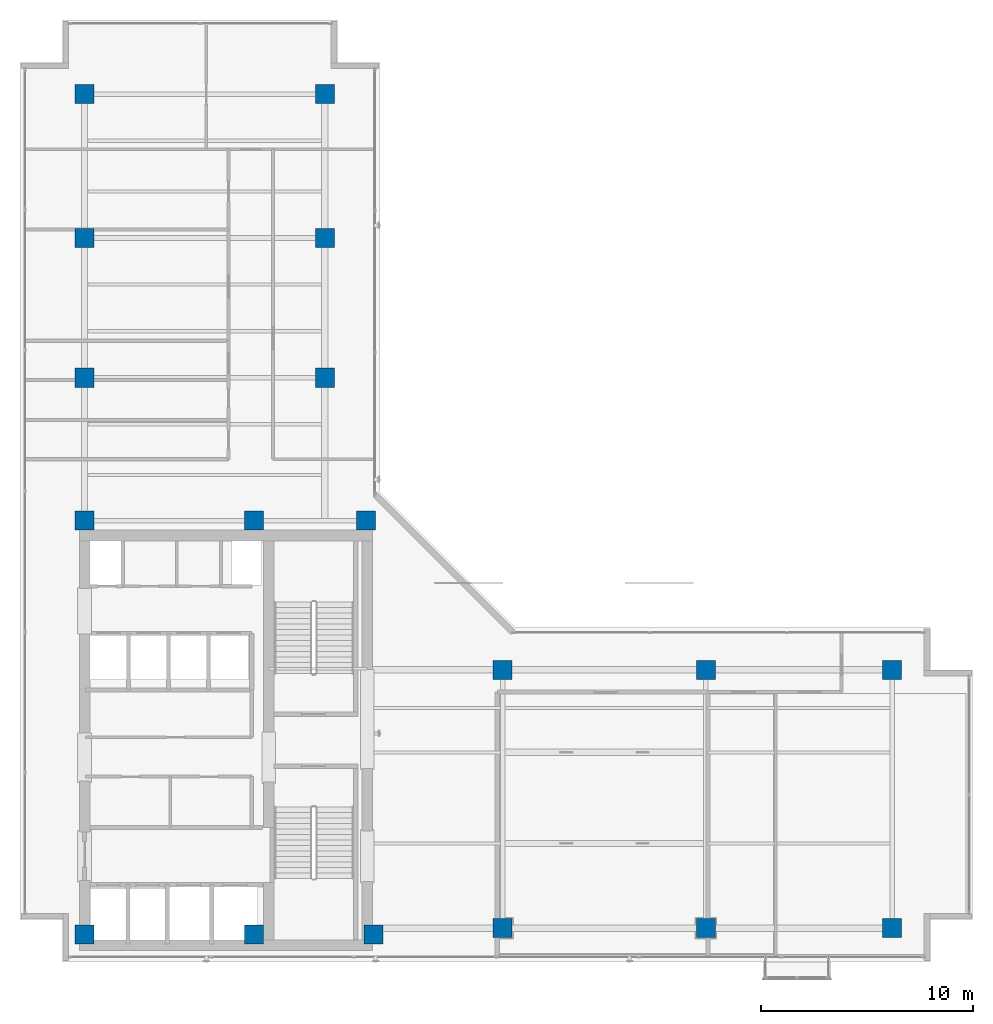
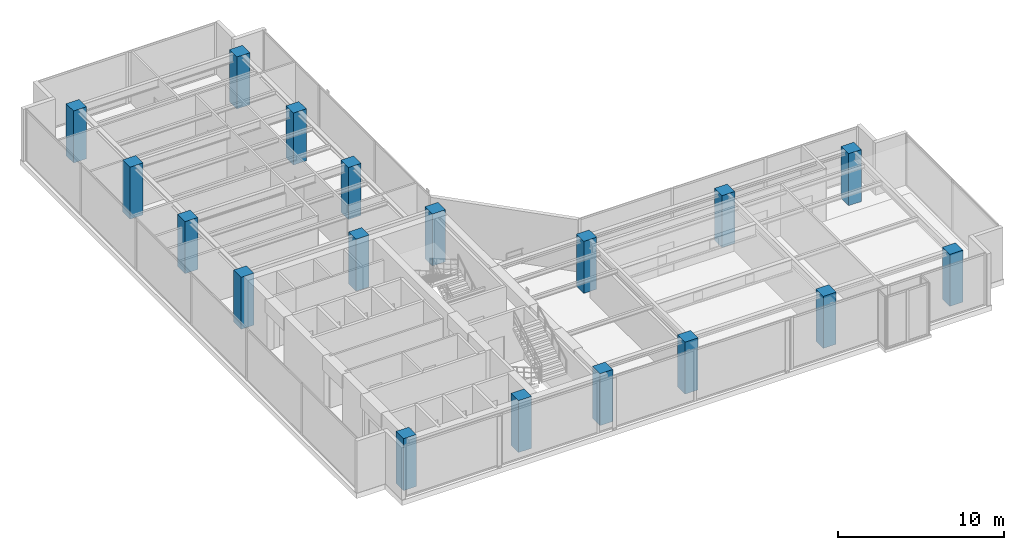
# One storey, part 1 of 32: 18 columns.
"""IFC4 building model written with IfcOpenShell, lengths in metres."""

from ifc_helpers import new_model, si_unit, direction, frame, origin, origin_2d, place, context, subcontext, project, spatial, rectangle, extrude, material, material_profile, profile_set, type_object, element, save


model = new_model("IFC4")

# Units and contexts
model_context = context("Model", 3, precision=1e-05, world=origin(), true_north=direction((0.0, 1.0)))
body_context = subcontext(model_context, "Body", "Model", "MODEL_VIEW")
ifc_project = project(units=[si_unit("LENGTHUNIT", "METRE"), si_unit("AREAUNIT", "SQUARE_METRE"), si_unit("VOLUMEUNIT", "CUBIC_METRE"), si_unit("PLANEANGLEUNIT", "RADIAN"), si_unit("MASSUNIT", "GRAM", prefix="KILO")], contexts=[model_context])

# Site, building, storey
site_placement = place(None, origin())
site = spatial("IfcSite", under=ifc_project, at=site_placement, CompositionType="ELEMENT")
building_placement = place(site_placement, origin())
building = spatial("IfcBuilding", under=site, at=building_placement, Name="Kolvaren Waterfront Exchange", CompositionType="ELEMENT")
storey_placement = place(building_placement, frame((0.0, 0.0, 352.0)))
storey = spatial("IfcBuildingStorey", under=building, at=storey_placement, Name="L90", CompositionType="ELEMENT", Elevation=352.0)

# Columns
ifc_material = material(Name="Concrete C50/60", Category="concrete")
ifc_material_profile = material_profile(ifc_material, rectangle(XDim=0.89990234375, YDim=0.89990234375, at=origin_2d()), Name="RC-COL-900x900")
ifc_profile_set = profile_set([ifc_material_profile], Name="Concrete C50/60")
column_type = type_object("IfcColumnType", Name="STR-COL-900-C50", PredefinedType="COLUMN", material=ifc_profile_set)
for number, where, z_axis, x_axis, name in (
    (1, (7.449951171875, 4.89990234375, 0.0), (0.0, 0.0, 1.0), (1.0, 0.0, 0.0), "L90 column MC01"),
    (2, (15.449951171875, 4.89990234375, 0.0), (0.0, 0.0, 1.0), (1.0, 0.0, 0.0), "L90 column MC02"),
    (3, (21.10009765625, 4.89990234375, 0.0), (0.0, 0.0, 1.0), (1.0, 0.0, 0.0), "L90 column MC03"),
    (4, (7.449951171875, 24.449951171875, 0.0), (0.0, 0.0, 1.0), (1.0, 0.0, 0.0), "L90 column MC04"),
    (5, (15.449951171875, 24.449951171875, 0.0), (0.0, 0.0, 1.0), (1.0, 0.0, 0.0), "L90 column MC05"),
    (6, (20.75, 24.449951171875, 0.0), (0.0, 0.0, 1.0), (1.0, 0.0, 0.0), "L90 column MC06"),
    (7, (7.449951171875, 31.199951171875, 0.0), (0.0, 0.0, 1.0), (1.0, 0.0, 0.0), "L90 column NC01"),
    (8, (7.449951171875, 37.800048828125, 0.0), (0.0, 0.0, 1.0), (1.0, 0.0, 0.0), "L90 column NC02"),
    (9, (7.449951171875, 44.60009765625, 0.0), (0.0, 0.0, 1.0), (1.0, 0.0, 0.0), "L90 column NC03"),
    (10, (18.800048828125, 31.199951171875, 0.0), (0.0, 0.0, 1.0), (1.0, 0.0, 0.0), "L90 column NC04"),
    (11, (18.800048828125, 37.800048828125, 0.0), (0.0, 0.0, 1.0), (1.0, 0.0, 0.0), "L90 column NC05"),
    (12, (18.800048828125, 44.60009765625, 0.0), (0.0, 0.0, 1.0), (1.0, 0.0, 0.0), "L90 column NC06"),
    (13, (27.199951171875, 5.199951171875, 0.0), (0.0, 0.0, 1.0), (1.0, 0.0, 0.0), "L90 column EC01"),
    (14, (36.800048828125, 5.199951171875, 0.0), (0.0, 0.0, 1.0), (1.0, 0.0, 0.0), "L90 column EC02"),
    (15, (45.60009765625, 5.199951171875, 0.0), (0.0, 0.0, 1.0), (1.0, 0.0, 0.0), "L90 column EC03"),
    (16, (27.199951171875, 17.39990234375, 0.0), (0.0, 0.0, 1.0), (1.0, 0.0, 0.0), "L90 column EC04"),
    (17, (36.800048828125, 17.39990234375, 0.0), (0.0, 0.0, 1.0), (1.0, 0.0, 0.0), "L90 column EC05"),
    (18, (45.60009765625, 17.39990234375, 0.0), (0.0, 0.0, 1.0), (1.0, 0.0, 0.0), "L90 column EC06"),
):
    element("IfcColumn", number, at=place(storey_placement, frame(where, z_axis=z_axis, x_axis=x_axis)), inside=storey, type_object=column_type, Name=name, PredefinedType="COLUMN", context=body_context, shape_type="SweptSolid", body=[
        extrude(rectangle(XDim=0.89990234375, YDim=0.89990234375, at=origin_2d()), origin(), (0.0, 0.0, 1.0), 3.820068359375),
    ])

save(model, "model.ifc")
